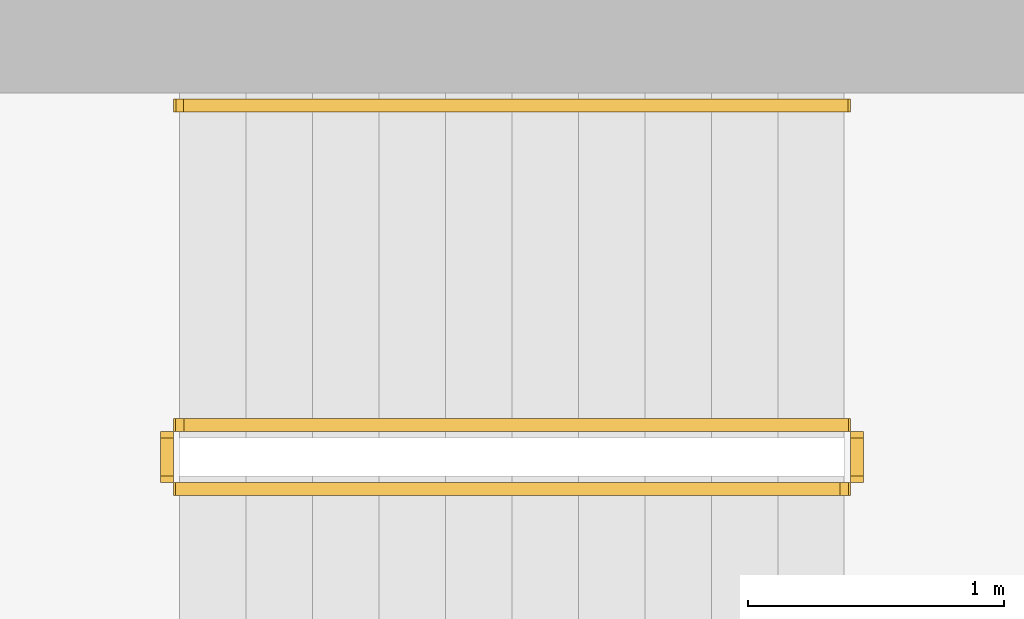
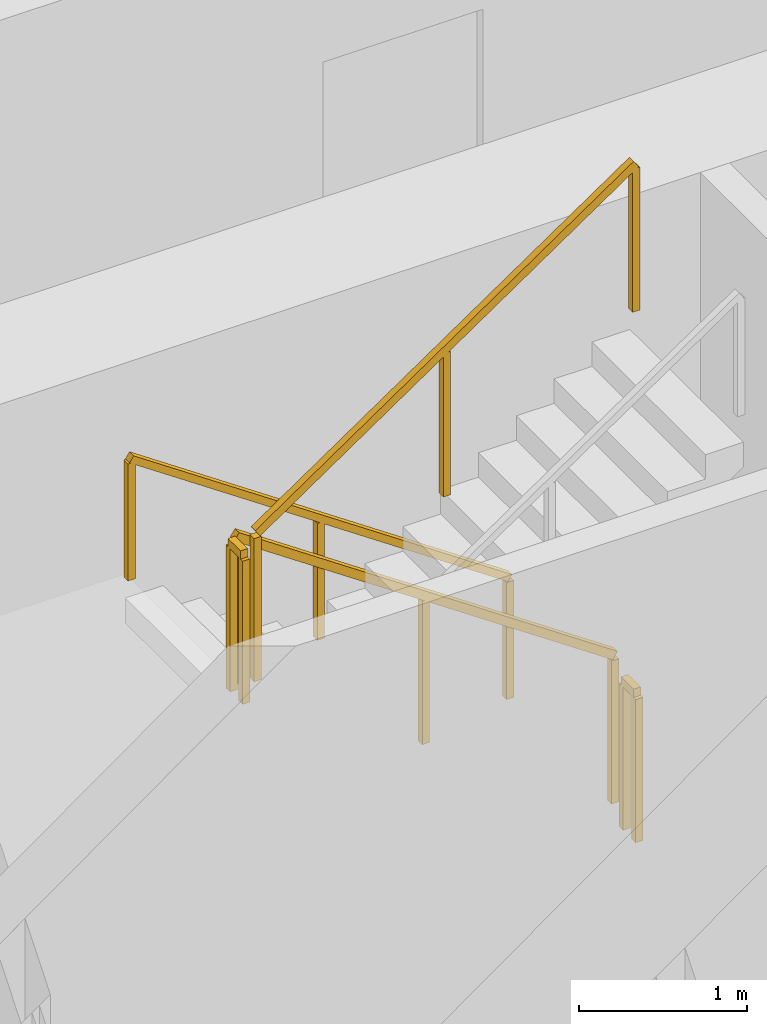
# One storey, part 14 of 15: 5 railings.
"""IFC4 building model written with IfcOpenShell, lengths in metres."""

from ifc_helpers import new_model, si_unit, direction, frame, origin, origin_2d, place, context, subcontext, project, spatial, rectangle, extrude, material, type_object, element, save


model = new_model("IFC4")

# Units and contexts
model_context = context("Model", 3, precision=1e-05, world=origin(), true_north=direction((0.0, 1.0)))
body_context = subcontext(model_context, "Body", "Model", "MODEL_VIEW")
ifc_project = project(units=[si_unit("LENGTHUNIT", "METRE"), si_unit("AREAUNIT", "SQUARE_METRE"), si_unit("VOLUMEUNIT", "CUBIC_METRE"), si_unit("PLANEANGLEUNIT", "RADIAN"), si_unit("MASSUNIT", "GRAM", prefix="KILO")], contexts=[model_context])

# Site, building, storey
site_placement = place(None, origin())
site = spatial("IfcSite", under=ifc_project, at=site_placement, CompositionType="ELEMENT")
building_placement = place(site_placement, origin())
building = spatial("IfcBuilding", under=site, at=building_placement, Name="Khepri Terraces", CompositionType="ELEMENT")
storey_placement = place(building_placement, frame((0.0, 0.0, 58.199951171875)))
storey = spatial("IfcBuildingStorey", under=building, at=storey_placement, Name="L13", CompositionType="ELEMENT", Elevation=58.199951171875)

# Railings
ifc_material = material(Name="Stainless steel 316", Category="steel")
railing_type_1 = type_object("IfcRailingType", Name="RL-CORE-GUARD", PredefinedType="GUARDRAIL", material=ifc_material)
railing_1_placement = place(storey_placement, frame((-0.25, 8.800048828125, 0.17724609375)))
element("IfcRailing", 1, at=railing_1_placement, inside=storey, type_object=railing_type_1, Name="L13 ST-3 stair guard 1", PredefinedType="GUARDRAIL", context=body_context, shape_type="SweptSolid", body=[
    extrude(rectangle(XDim=0.050048828125, YDim=0.06005859375, at=origin_2d()), frame((0.0, 0.0, 1.070068359375), z_axis=(-0.826240473404, 0.0, 0.563317565952), x_axis=(0.0, -1.0, 0.0)), (0.0, 0.0, 1.0), 3.14697265625),
    extrude(rectangle(XDim=0.050048828125, YDim=0.050048828125, at=origin_2d()), origin(), (0.0, 0.0, 1.0), 1.0400390625),
    extrude(rectangle(XDim=0.050048828125, YDim=0.050048828125, at=origin_2d()), frame((-1.300048828125, 0.0, 0.88623046875)), (0.0, 0.0, 1.0), 1.0400390625),
    extrude(rectangle(XDim=0.050048828125, YDim=0.050048828125, at=origin_2d()), frame((-2.60009765625, 0.0, 1.772705078125)), (0.0, 0.0, 1.0), 1.0400390625),
])
railing_2_placement = place(storey_placement, frame((-2.89990234375, 8.75, 1.949951171875)))
element("IfcRailing", 2, at=railing_2_placement, inside=storey, type_object=railing_type_1, Name="L13 ST-3 stair guard 2", PredefinedType="GUARDRAIL", context=body_context, shape_type="SweptSolid", body=[
    extrude(rectangle(XDim=0.050048828125, YDim=0.06005859375, at=origin_2d()), frame((0.0, 0.0, 1.070068359375), z_axis=(0.0, -1.0, 0.0), x_axis=(1.0, 0.0, 0.0)), (0.0, 0.0, 1.0), 0.14990234375),
    extrude(rectangle(XDim=0.050048828125, YDim=0.050048828125, at=origin_2d()), origin(), (0.0, 0.0, 1.0), 1.0400390625),
    extrude(rectangle(XDim=0.050048828125, YDim=0.050048828125, at=origin_2d()), frame((0.0, -0.14990234375, 0.0)), (0.0, 0.0, 1.0), 1.0400390625),
])
railing_3_placement = place(storey_placement, frame((-2.85009765625, 8.550048828125, 2.12744140625)))
element("IfcRailing", 3, at=railing_3_placement, inside=storey, type_object=railing_type_1, Name="L13 ST-3 stair guard 3", PredefinedType="GUARDRAIL", context=body_context, shape_type="SweptSolid", body=[
    extrude(rectangle(XDim=0.050048828125, YDim=0.06005859375, at=origin_2d()), frame((0.0, 0.0, 1.070068359375), z_axis=(0.826240473404, 0.0, 0.563317565952), x_axis=(0.0, 1.0, 0.0)), (0.0, 0.0, 1.0), 3.14697265625),
    extrude(rectangle(XDim=0.050048828125, YDim=0.050048828125, at=origin_2d()), origin(), (0.0, 0.0, 1.0), 1.0400390625),
    extrude(rectangle(XDim=0.050048828125, YDim=0.050048828125, at=origin_2d()), frame((1.300048828125, 0.0, 0.88623046875)), (0.0, 0.0, 1.0), 1.0400390625),
    extrude(rectangle(XDim=0.050048828125, YDim=0.050048828125, at=origin_2d()), frame((2.60009765625, 0.0, 1.772705078125)), (0.0, 0.0, 1.0), 1.0400390625),
])
railing_4_placement = place(storey_placement, frame((-0.199951171875, 8.75, 0.0)))
element("IfcRailing", 4, at=railing_4_placement, inside=storey, type_object=railing_type_1, Name="L13 ST-3 stair guard 4", PredefinedType="GUARDRAIL", context=body_context, shape_type="SweptSolid", body=[
    extrude(rectangle(XDim=0.050048828125, YDim=0.06005859375, at=origin_2d()), frame((0.0, 0.0, 1.070068359375), z_axis=(0.0, -1.0, 0.0), x_axis=(1.0, 0.0, 0.0)), (0.0, 0.0, 1.0), 0.14990234375),
    extrude(rectangle(XDim=0.050048828125, YDim=0.050048828125, at=origin_2d()), origin(), (0.0, 0.0, 1.0), 1.0400390625),
    extrude(rectangle(XDim=0.050048828125, YDim=0.050048828125, at=origin_2d()), frame((0.0, -0.14990234375, 0.0)), (0.0, 0.0, 1.0), 1.0400390625),
])
railing_type_2 = type_object("IfcRailingType", Name="RL-CORE-HANDRAIL", PredefinedType="HANDRAIL", material=ifc_material)
railing_5_placement = place(storey_placement, frame((-0.25, 10.050048828125, 0.17724609375)))
element("IfcRailing", 5, at=railing_5_placement, inside=storey, type_object=railing_type_2, Name="L13 ST-3 stair handrail 1", PredefinedType="HANDRAIL", context=body_context, shape_type="SweptSolid", body=[
    extrude(rectangle(XDim=0.050048828125, YDim=0.050048828125, at=origin_2d()), frame((0.0, 0.0, 0.875), z_axis=(-0.826240473404, 0.0, 0.563317565952), x_axis=(0.0, -1.0, 0.0)), (0.0, 0.0, 1.0), 3.14697265625),
    extrude(rectangle(XDim=0.050048828125, YDim=0.050048828125, at=origin_2d()), origin(), (0.0, 0.0, 1.0), 0.849853515625),
    extrude(rectangle(XDim=0.050048828125, YDim=0.050048828125, at=origin_2d()), frame((-1.300048828125, 0.0, 0.88623046875)), (0.0, 0.0, 1.0), 0.849853515625),
    extrude(rectangle(XDim=0.050048828125, YDim=0.050048828125, at=origin_2d()), frame((-2.60009765625, 0.0, 1.772705078125)), (0.0, 0.0, 1.0), 0.849853515625),
])

save(model, "model.ifc")
